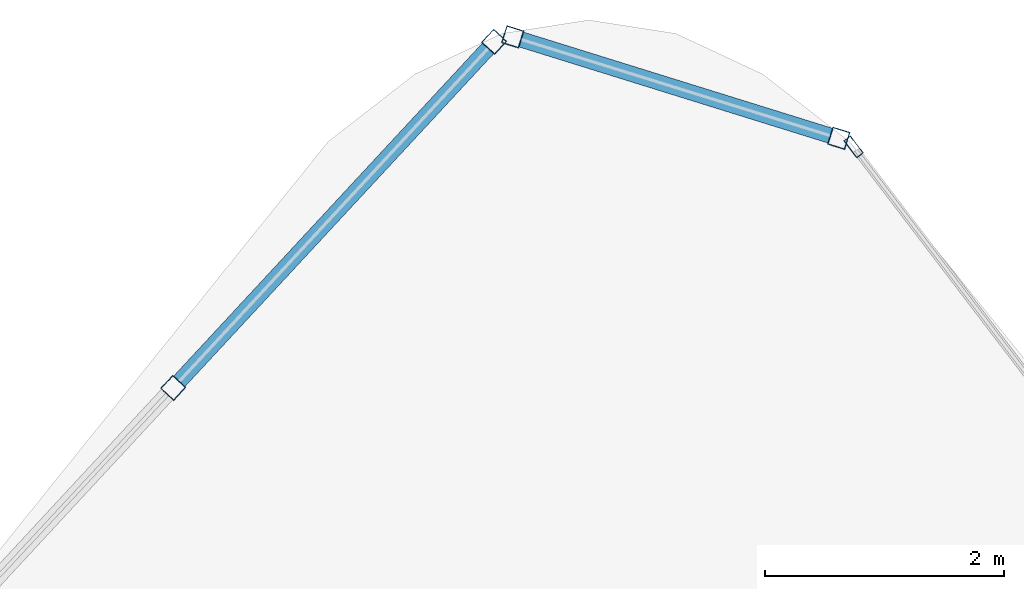
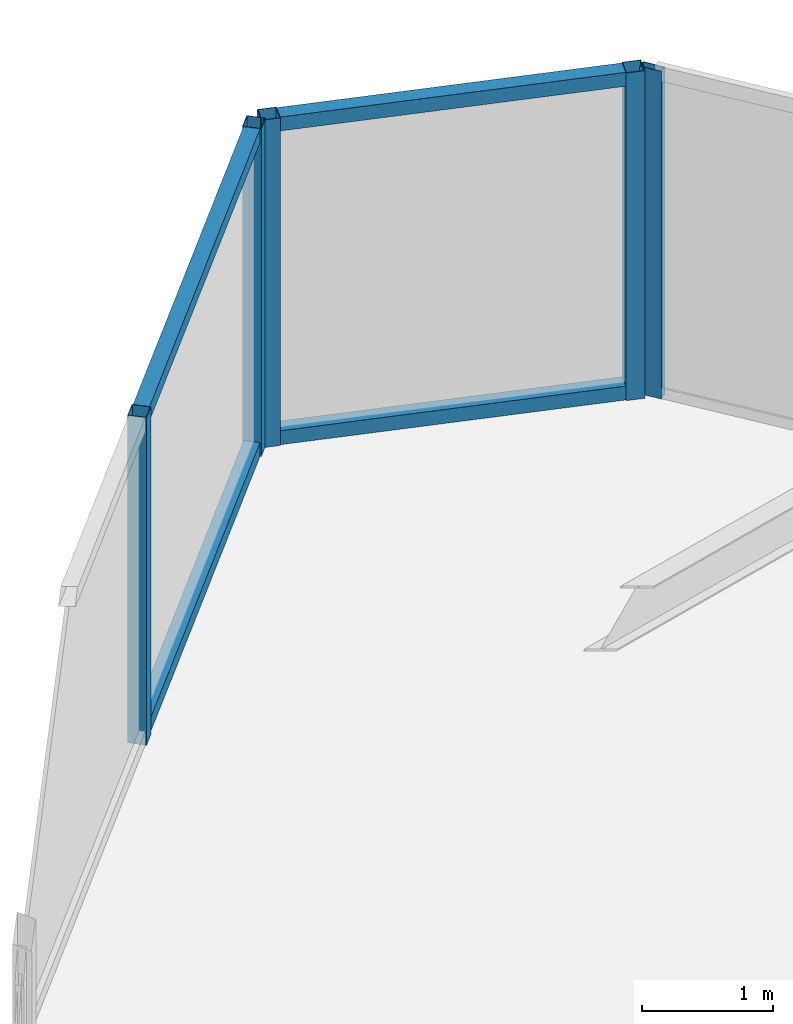
# One storey, part 27 of 38: 9 members, 3 elements without a shape of their own.
"""IFC4 building model written with IfcOpenShell, lengths in metres."""

from ifc_helpers import new_model, si_unit, direction, frame, origin, origin_2d, place, context, subcontext, project, spatial, hollow_rectangle, extrude, material, layer, layer_set, material_profile, profile_set, type_object, element, aggregate, save


model = new_model("IFC4")

# Units and contexts
model_context = context("Model", 3, precision=1e-05, world=origin(), true_north=direction((0.0, 1.0)))
body_context = subcontext(model_context, "Body", "Model", "MODEL_VIEW")
ifc_project = project(units=[si_unit("LENGTHUNIT", "METRE"), si_unit("AREAUNIT", "SQUARE_METRE"), si_unit("VOLUMEUNIT", "CUBIC_METRE"), si_unit("PLANEANGLEUNIT", "RADIAN"), si_unit("MASSUNIT", "GRAM", prefix="KILO")], contexts=[model_context])

# Site, building, storey
site_placement = place(None, origin())
site = spatial("IfcSite", under=ifc_project, at=site_placement, CompositionType="ELEMENT")
building_placement = place(site_placement, origin())
building = spatial("IfcBuilding", under=site, at=building_placement, Name="Orvanel Arch Residences", CompositionType="ELEMENT")
storey_placement = place(building_placement, frame((0.0, 0.0, 50.0)))
storey = spatial("IfcBuildingStorey", under=building, at=storey_placement, Name="L13", CompositionType="ELEMENT", Elevation=50.0)

# Curtain wall, members
ifc_material = material(Name="Bronze-anodised aluminium AA6063-T6", Category="aluminium")
ifc_layer_1 = layer(ifc_material, 0.18994140625)
ifc_layer_set_1 = layer_set([ifc_layer_1], Name="Bronze-anodised aluminium AA6063-T6")
curtain_wall_type_1 = type_object("IfcCurtainWallType", Name="CW5-CRN-SYS", PredefinedType="NOTDEFINED", material=ifc_layer_set_1)
curtain_wall_1_placement = place(storey_placement, origin())
curtain_wall_1 = element("IfcCurtainWall", 1, at=curtain_wall_1_placement, inside=storey, type_object=curtain_wall_type_1, Name="L13 CW5-CRN-SYS Unitised Curtain Wall", PredefinedType="NOTDEFINED")
ifc_material_profile_1 = material_profile(ifc_material, hollow_rectangle(XDim=0.14990234375, YDim=0.14990234375, WallThickness=0.0048828125, at=origin_2d()), Name="ALU150x150x5")
ifc_profile_set_1 = profile_set([ifc_material_profile_1], Name="Bronze-anodised aluminium AA6063-T6")
member_type_1 = type_object("IfcMemberType", Name="MUL-150x150", PredefinedType="MULLION", material=ifc_profile_set_1)
member_1_placement = place(storey_placement, frame((35.093505859375, 51.197265625, 0.0), z_axis=(0.0, 0.0, 1.0), x_axis=(-0.297026162506, -0.954869341212, 0.0)))
member_1 = element("IfcMember", 2, at=member_1_placement, type_object=member_type_1, Name="CW-S5 mullion 1", PredefinedType="MULLION", context=body_context, shape_type="SweptSolid", body=[
    extrude(hollow_rectangle(XDim=0.14990234375, YDim=0.14990234375, WallThickness=0.0048828125, at=origin_2d()), origin(), (0.0, 0.0, 1.0), 3.06005859375),
])
member_2_placement = place(storey_placement, frame((32.362548828125, 52.046630859375, 0.0), z_axis=(0.0, 0.0, 1.0), x_axis=(-0.297026162506, -0.954869341212, 0.0)))
member_2 = element("IfcMember", 3, at=member_2_placement, type_object=member_type_1, Name="CW-S5 mullion 2", PredefinedType="MULLION", context=body_context, shape_type="SweptSolid", body=[
    extrude(hollow_rectangle(XDim=0.14990234375, YDim=0.14990234375, WallThickness=0.0048828125, at=origin_2d()), origin(), (0.0, 0.0, 1.0), 3.06005859375),
])

curtain_wall_2_placement = place(storey_placement, origin())
curtain_wall_2 = element("IfcCurtainWall", 4, at=curtain_wall_2_placement, inside=storey, type_object=curtain_wall_type_1, Name="L13 CW5-CRN-SYS Unitised Curtain Wall", PredefinedType="NOTDEFINED")
member_3_placement = place(storey_placement, frame((32.20703125, 52.005126953125, 0.0), z_axis=(0.0, 0.0, 1.0), x_axis=(0.733235518375, -0.679974760262, 0.0)))
member_3 = element("IfcMember", 5, at=member_3_placement, type_object=member_type_1, Name="CW-S5 mullion 1", PredefinedType="MULLION", context=body_context, shape_type="SweptSolid", body=[
    extrude(hollow_rectangle(XDim=0.14990234375, YDim=0.14990234375, WallThickness=0.0048828125, at=origin_2d()), origin(), (0.0, 0.0, 1.0), 3.06005859375),
])
member_4_placement = place(storey_placement, frame((29.51953125, 49.10693359375, 0.0), z_axis=(0.0, 0.0, 1.0), x_axis=(0.733235518375, -0.679974760262, 0.0)))
member_4 = element("IfcMember", 6, at=member_4_placement, type_object=member_type_1, Name="CW-S5 mullion 2", PredefinedType="MULLION", context=body_context, shape_type="SweptSolid", body=[
    extrude(hollow_rectangle(XDim=0.14990234375, YDim=0.14990234375, WallThickness=0.0048828125, at=origin_2d()), origin(), (0.0, 0.0, 1.0), 3.06005859375),
])

# Curtain wall, member
ifc_layer_2 = layer(ifc_material, 0.179931640625)
ifc_layer_set_2 = layer_set([ifc_layer_2], Name="Bronze-anodised aluminium AA6063-T6")
curtain_wall_type_2 = type_object("IfcCurtainWallType", Name="CW2-LOW-SYS", PredefinedType="NOTDEFINED", material=ifc_layer_set_2)
curtain_wall_3_placement = place(storey_placement, origin())
curtain_wall_3 = element("IfcCurtainWall", 7, at=curtain_wall_3_placement, inside=storey, type_object=curtain_wall_type_2, Name="L13 CW2-LOW-SYS Unitised Curtain Wall", PredefinedType="NOTDEFINED")
ifc_material_profile_2 = material_profile(ifc_material, hollow_rectangle(XDim=0.070068359375, YDim=0.179931640625, WallThickness=0.00439453125, at=origin_2d()), Name="ALU180x70x4.5")
ifc_profile_set_2 = profile_set([ifc_material_profile_2], Name="Bronze-anodised aluminium AA6063-T6")
member_type_2 = type_object("IfcMemberType", Name="MUL-180x70", PredefinedType="MULLION", material=ifc_profile_set_2)
member_5_placement = place(storey_placement, frame((35.21728515625, 51.125244140625, 0.0), z_axis=(0.0, 0.0, 1.0), x_axis=(-0.795336402585, -0.606168299009, 0.0)))
member_5 = element("IfcMember", 8, at=member_5_placement, type_object=member_type_2, Name="CW-S2 mullion 4", PredefinedType="MULLION", context=body_context, shape_type="SweptSolid", body=[
    extrude(hollow_rectangle(XDim=0.070068359375, YDim=0.179931640625, WallThickness=0.00439453125, at=origin_2d()), origin(), (0.0, 0.0, 1.0), 3.06005859375),
])
aggregate(curtain_wall_3, [member_5])

# Member
ifc_material_profile_3 = material_profile(ifc_material, hollow_rectangle(XDim=0.1298828125, YDim=0.1298828125, WallThickness=0.00439453125, at=origin_2d()), Name="ALU130x130x4.5")
ifc_profile_set_3 = profile_set([ifc_material_profile_3], Name="Bronze-anodised aluminium AA6063-T6")
member_type_3 = type_object("IfcMemberType", Name="TRN-130x130", PredefinedType="USERDEFINED", material=ifc_profile_set_3)
member_6_placement = place(storey_placement, frame((35.021728515625, 51.219482421875, 0.06494140625), z_axis=(-0.954860751763, 0.297053774161, 0.0), x_axis=(-0.297053774161, -0.954860751763, 0.0)))
member_6 = element("IfcMember", 9, at=member_6_placement, type_object=member_type_3, Name="CW-S5 transom 1.1", ObjectType="TRANSOM", PredefinedType="USERDEFINED", context=body_context, shape_type="SweptSolid", body=[
    extrude(hollow_rectangle(XDim=0.1298828125, YDim=0.1298828125, WallThickness=0.00439453125, at=origin_2d()), origin(), (0.0, 0.0, 1.0), 2.709716796875),
])

member_7_placement = place(storey_placement, frame((35.021728515625, 51.219482421875, 2.9951171875), z_axis=(-0.954860751763, 0.297053774161, 0.0), x_axis=(-0.297053774161, -0.954860751763, 0.0)))
member_7 = element("IfcMember", 10, at=member_7_placement, type_object=member_type_3, Name="CW-S5 transom 1.2", ObjectType="TRANSOM", PredefinedType="USERDEFINED", context=body_context, shape_type="SweptSolid", body=[
    extrude(hollow_rectangle(XDim=0.1298828125, YDim=0.1298828125, WallThickness=0.00439453125, at=origin_2d()), origin(), (0.0, 0.0, 1.0), 2.709716796875),
])

aggregate(curtain_wall_1, [member_1, member_2, member_6, member_7])

member_8_placement = place(storey_placement, frame((32.156005859375, 51.949951171875, 0.06494140625), z_axis=(-0.679990407746, -0.733221007182, 0.0), x_axis=(0.733221007182, -0.679990407746, 0.0)))
member_8 = element("IfcMember", 11, at=member_8_placement, type_object=member_type_3, Name="CW-S5 transom 1.1", ObjectType="TRANSOM", PredefinedType="USERDEFINED", context=body_context, shape_type="SweptSolid", body=[
    extrude(hollow_rectangle(XDim=0.1298828125, YDim=0.1298828125, WallThickness=0.00439453125, at=origin_2d()), origin(), (0.0, 0.0, 1.0), 3.80224609375),
])

member_9_placement = place(storey_placement, frame((32.156005859375, 51.949951171875, 2.9951171875), z_axis=(-0.679990407746, -0.733221007182, 0.0), x_axis=(0.733221007182, -0.679990407746, 0.0)))
member_9 = element("IfcMember", 12, at=member_9_placement, type_object=member_type_3, Name="CW-S5 transom 1.2", ObjectType="TRANSOM", PredefinedType="USERDEFINED", context=body_context, shape_type="SweptSolid", body=[
    extrude(hollow_rectangle(XDim=0.1298828125, YDim=0.1298828125, WallThickness=0.00439453125, at=origin_2d()), origin(), (0.0, 0.0, 1.0), 3.80224609375),
])

aggregate(curtain_wall_2, [member_3, member_4, member_8, member_9])

save(model, "model.ifc")
